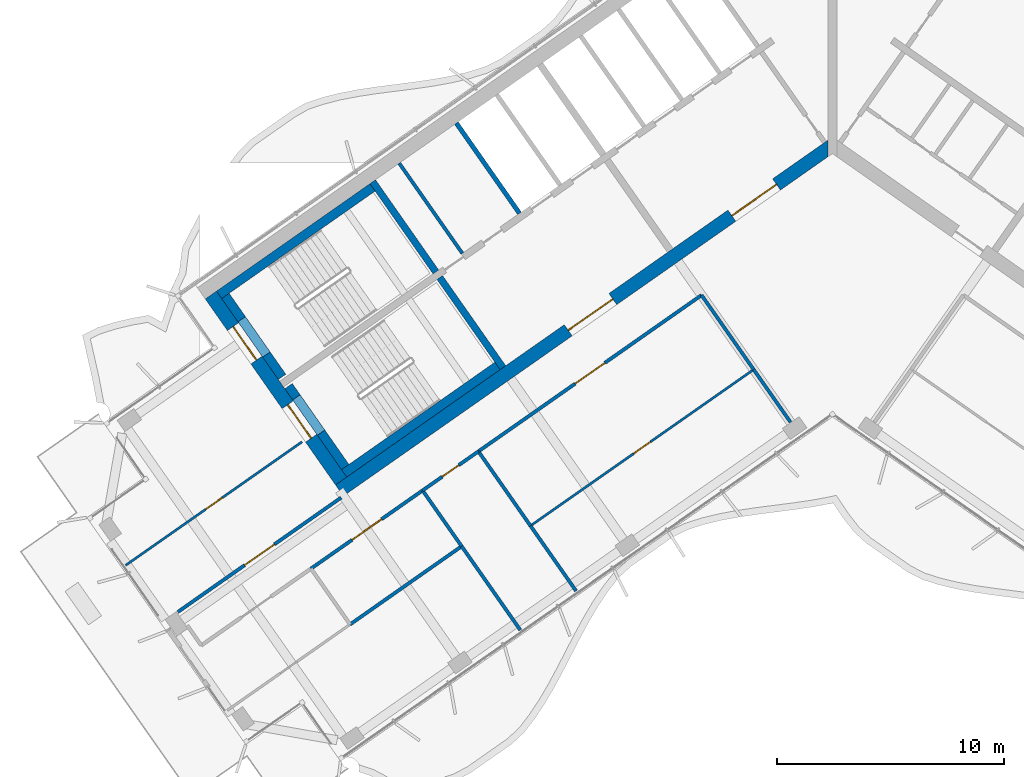
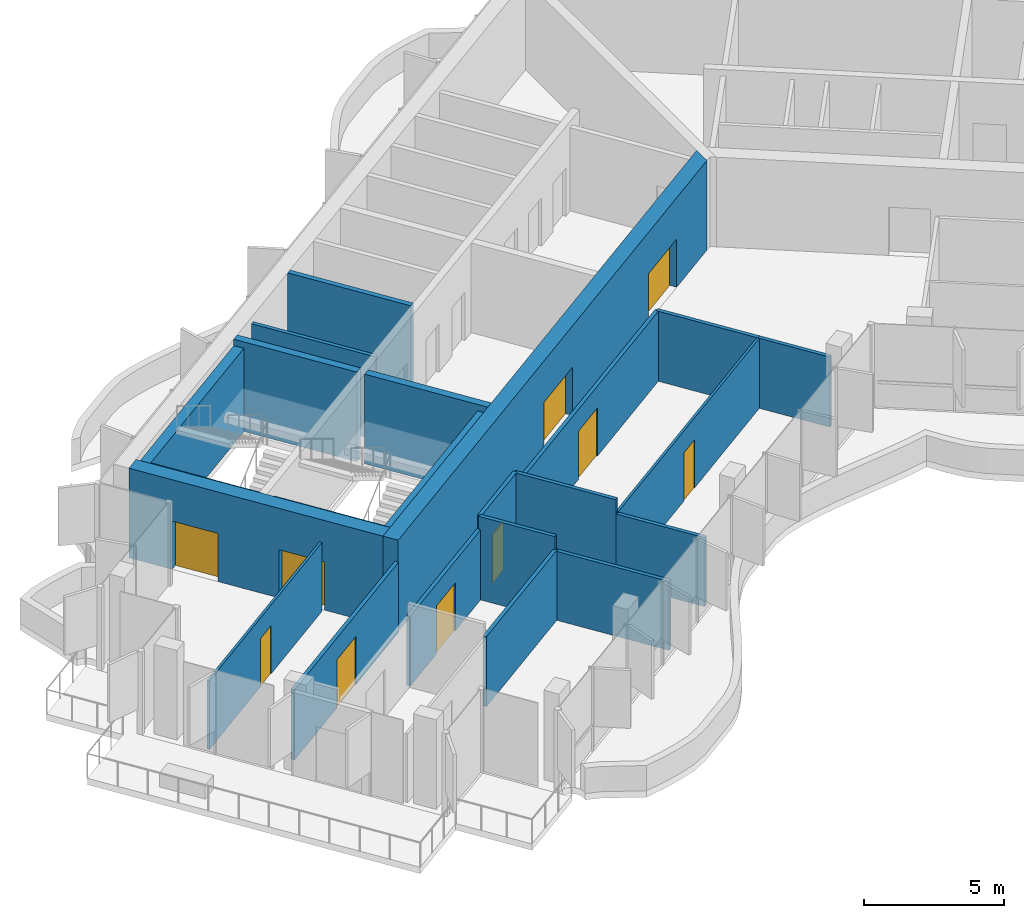
# One storey, part 11 of 21: 27 walls, 10 doors, 10 openings.
"""IFC4 building model written with IfcOpenShell, lengths in metres."""

import ifcopenshell
import ifcopenshell.guid

model = None  # the IFC model being written
_history = None  # IfcOwnerHistory: only IFC2X3 demands one
_inside = {}  # id of a spatial element -> (the spatial element, [elements in it])
_under = {}  # id of a project, library or spatial element -> (it, [spatial elements below it])
_declared = {}  # id of a project -> (the project, [libraries it declares])
_typed = {}  # id of a type object -> (the type object, [elements of that type])
_made_of = {}  # id of a material, layer set ... -> (it, [elements and type objects made of it])


def new_model(schema):
    """Start an empty IFC model of exactly this schema.

    Asked for "IFC4X3", IfcOpenShell would pick the latest addendum, in which some entities
    have other attributes; the version numbers below select the first issue.
    IFC2X3 requires an IfcOwnerHistory on every rooted entity: one is made here for all.
    """
    global model, _history
    if schema == "IFC4X3":
        model = ifcopenshell.file(schema_version=(4, 3, 0, 0))
    else:
        model = ifcopenshell.file(schema=schema)
    _inside.clear()
    _under.clear()
    _declared.clear()
    _typed.clear()
    _made_of.clear()
    _history = None
    if model.schema == "IFC2X3":
        org = make("IfcOrganization", Name="unknown")
        user = make(
            "IfcPersonAndOrganization",
            ThePerson=make("IfcPerson", FamilyName="unknown"),
            TheOrganization=org,
        )
        app = make(
            "IfcApplication",
            ApplicationDeveloper=org,
            Version="unknown",
            ApplicationFullName="unknown",
            ApplicationIdentifier="unknown",
        )
        _history = make(
            "IfcOwnerHistory",
            OwningUser=user,
            OwningApplication=app,
            ChangeAction="ADDED",
            CreationDate=0,
        )
    return model


def make(cls, **values):
    """One entity of the class cls with the attributes given. An attribute that is None is left unset."""
    return model.create_entity(
        cls, **{name: value for name, value in values.items() if value is not None}
    )


def rooted(cls, **values):
    """An entity with a GlobalId (a new one), such as an element, a storey or a relation."""
    return make(cls, GlobalId=ifcopenshell.guid.new(), OwnerHistory=_history, **values)


def si_unit(unit_type, name, prefix=None):
    """IfcSIUnit, for example si_unit("LENGTHUNIT", "METRE", prefix="MILLI")."""
    return make("IfcSIUnit", UnitType=unit_type, Prefix=prefix, Name=name)


def assignment(units):
    """IfcUnitAssignment: the units of a project."""
    return None if units is None else make("IfcUnitAssignment", Units=units)


def point(xyz):
    """IfcCartesianPoint."""
    return None if xyz is None else make("IfcCartesianPoint", Coordinates=xyz)


def direction(xyz):
    """IfcDirection."""
    return None if xyz is None else make("IfcDirection", DirectionRatios=xyz)


def frame(location, z_axis=None, x_axis=None):
    """IfcAxis2Placement3D, a coordinate frame: its origin and axes. An axis left out is left unset."""
    return make(
        "IfcAxis2Placement3D",
        Location=point(location),
        Axis=direction(z_axis),
        RefDirection=direction(x_axis),
    )


def frame_2d(location, x_axis=None):
    """IfcAxis2Placement2D, a coordinate frame in the plane: its origin and x axis."""
    return make(
        "IfcAxis2Placement2D", Location=point(location), RefDirection=direction(x_axis)
    )


def origin():
    """The frame at (0, 0, 0) with its axes left unset."""
    return frame((0.0, 0.0, 0.0))


def place(relative_to, where):
    """IfcLocalPlacement: puts the frame where relative to a parent placement (None: the world)."""
    return make(
        "IfcLocalPlacement", PlacementRelTo=relative_to, RelativePlacement=where
    )


def context(
    kind, dimensions, precision=None, world=None, true_north=None, identifier=None
):
    """IfcGeometricRepresentationContext, for example the 3D "Model" context."""
    return make(
        "IfcGeometricRepresentationContext",
        ContextIdentifier=identifier,
        ContextType=kind,
        CoordinateSpaceDimension=dimensions,
        Precision=precision,
        WorldCoordinateSystem=world,
        TrueNorth=true_north,
    )


def subcontext(parent, identifier, kind, view, scale=None):
    """IfcGeometricRepresentationSubContext, for example "Body" below "Model"."""
    return make(
        "IfcGeometricRepresentationSubContext",
        ContextIdentifier=identifier,
        ContextType=kind,
        ParentContext=parent,
        TargetScale=scale,
        TargetView=view,
    )


def project(units=None, contexts=None):
    """IfcProject with its units and contexts."""
    return rooted(
        "IfcProject",
        Name="project",
        RepresentationContexts=contexts,
        UnitsInContext=assignment(units),
    )


def spatial(cls, under=None, at=None, **own):
    """A site, building, storey or space (cls), placed at a placement, below another one or the project."""
    s = rooted(cls, ObjectPlacement=at, **own)
    if under is not None:
        _under.setdefault(under.id(), (under, []))[1].append(s)
    return s


def polyline(points):
    """IfcPolyline through the points."""
    return make("IfcPolyline", Points=[point(p) for p in points])


def profile(cls, at=None, kind="AREA", **sizes):
    """A parametric profile (cls). Its sizes go by their IFC names, for example OverallWidth=200.0."""
    return make(cls, ProfileType=kind, Position=at, **sizes)


def rectangle(**sizes):
    """IfcRectangleProfileDef."""
    return profile("IfcRectangleProfileDef", **sizes)


def outline(outer, holes=None, kind="AREA"):
    """IfcArbitraryClosedProfileDef: a profile drawn as a closed curve; with holes, ...WithVoids."""
    if holes is None:
        return make("IfcArbitraryClosedProfileDef", ProfileType=kind, OuterCurve=outer)
    return make(
        "IfcArbitraryProfileDefWithVoids",
        ProfileType=kind,
        OuterCurve=outer,
        InnerCurves=holes,
    )


def extrude(swept, where, along, depth):
    """IfcExtrudedAreaSolid: the profile swept, set in the frame where, extruded along a direction by depth."""
    return make(
        "IfcExtrudedAreaSolid",
        SweptArea=swept,
        Position=where,
        ExtrudedDirection=direction(along),
        Depth=depth,
    )


def shape(context_of_items, identifier, shape_type, items):
    """IfcShapeRepresentation: the items that make up one representation, for example the "Body"."""
    return make(
        "IfcShapeRepresentation",
        ContextOfItems=context_of_items,
        RepresentationIdentifier=identifier,
        RepresentationType=shape_type,
        Items=items,
    )


def material(Name=None, Category=None):
    """IfcMaterial."""
    return make("IfcMaterial", Name=Name, Category=Category)


def layer(
    of_material, thickness, ventilated=None, Name=None, Category=None, Priority=None
):
    """IfcMaterialLayer: one layer of a wall or slab, of a material (None: an air gap)."""
    return make(
        "IfcMaterialLayer",
        Material=of_material,
        LayerThickness=thickness,
        IsVentilated=ventilated,
        Name=Name,
        Category=Category,
        Priority=Priority,
    )


def layer_set(layers, Name=None):
    """IfcMaterialLayerSet."""
    return make("IfcMaterialLayerSet", MaterialLayers=layers, LayerSetName=Name)


def made_of(thing, what):
    """Note that an element or type object is made of a material, layer set ...; save() writes the relation."""
    if what is not None:
        _made_of.setdefault(what.id(), (what, []))[1].append(thing)
    return thing


def type_object(cls, material=None, **own):
    """A type object (cls), such as IfcWallType, which elements share."""
    return made_of(rooted(cls, **own), material)


def element(
    cls,
    number,
    at=None,
    inside=None,
    cuts=None,
    type_object=None,
    material=None,
    context=None,
    identifier="Body",
    shape_type=None,
    held_by="IfcProductDefinitionShape",
    body=None,
    shapes=None,
    **own,
):
    """One element of the class cls, such as IfcWall. Its Tag is "e" and its number.

    at: its placement. inside: the storey or other place that contains it. cuts: it is an
    opening in that element (IfcRelVoidsElement). A single representation is given by context,
    identifier, shape_type and body (its items); several are given by shapes. held_by: the class
    of the entity that holds the representations. save() writes the other relations.
    """
    e = rooted(cls, Tag="e%d" % number, ObjectPlacement=at, **own)
    if body is not None:
        shapes = [shape(context, identifier, shape_type, body)]
    if shapes is not None:
        e.Representation = make(held_by, Representations=shapes)
    if inside is not None:
        _inside.setdefault(inside.id(), (inside, []))[1].append(e)
    if cuts is not None:
        rooted(
            "IfcRelVoidsElement", RelatingBuildingElement=cuts, RelatedOpeningElement=e
        )
    if type_object is not None:
        _typed.setdefault(type_object.id(), (type_object, []))[1].append(e)
    return made_of(e, material)


def fill(opening, filler):
    """IfcRelFillsElement: the door or window that sits in an opening."""
    return rooted(
        "IfcRelFillsElement",
        RelatingOpeningElement=opening,
        RelatedBuildingElement=filler,
    )


def aggregate(whole, parts):
    """IfcRelAggregates: a whole, such as a stair, and the parts it consists of."""
    return rooted("IfcRelAggregates", RelatingObject=whole, RelatedObjects=parts)


def save(model, path):
    """Write the relations noted so far, then the file.

    IfcRelAggregates (storeys below a building ...), IfcRelContainedInSpatialStructure (elements
    in a storey), IfcRelDefinesByType, IfcRelAssociatesMaterial and IfcRelDeclares: one each for
    every whole, place, type object, material and project.
    """
    for whole, parts in _under.values():
        aggregate(whole, parts)
    for where, things in _inside.values():
        rooted(
            "IfcRelContainedInSpatialStructure",
            RelatedElements=things,
            RelatingStructure=where,
        )
    for kind, things in _typed.values():
        rooted("IfcRelDefinesByType", RelatedObjects=things, RelatingType=kind)
    for what, things in _made_of.values():
        rooted("IfcRelAssociatesMaterial", RelatedObjects=things, RelatingMaterial=what)
    for by, libraries in _declared.values():
        rooted("IfcRelDeclares", RelatingContext=by, RelatedDefinitions=libraries)
    model.write(path)


model = new_model("IFC4")

# Units and contexts
model_context = context("Model", 3, precision=1e-05, world=origin(), true_north=direction((0.0, 1.0)))
body_context = subcontext(model_context, "Body", "Model", "MODEL_VIEW")
ifc_project = project(units=[si_unit("LENGTHUNIT", "METRE"), si_unit("AREAUNIT", "SQUARE_METRE"), si_unit("VOLUMEUNIT", "CUBIC_METRE"), si_unit("PLANEANGLEUNIT", "RADIAN"), si_unit("MASSUNIT", "GRAM", prefix="KILO")], contexts=[model_context])

# Site, building, storey
site_placement = place(None, origin())
site = spatial("IfcSite", under=ifc_project, at=site_placement, CompositionType="ELEMENT")
building_placement = place(site_placement, origin())
building = spatial("IfcBuilding", under=site, at=building_placement, Name="Tel Ilan Convention Tower", CompositionType="ELEMENT")
storey_placement = place(building_placement, frame((0.0, 0.0, 225.39990234375)))
storey = spatial("IfcBuildingStorey", under=building, at=storey_placement, Name="L52", CompositionType="ELEMENT", Elevation=225.39990234375)

# Walls
ifc_material_1 = material(Name="Gypsum Plasterboard on Steel Stud", Category="steel")
ifc_layer_1 = layer(ifc_material_1, 0.14990234375)
ifc_layer_set_1 = layer_set([ifc_layer_1], Name="Core Room Partition Wall 150 mm EI 60")
wall_type_1 = type_object("IfcWallType", Name="Core Room Partition Wall 150 mm EI 60", PredefinedType="PARTITIONING", material=ifc_layer_set_1)
wall_1_placement = place(storey_placement, frame((-16.302001953125, -5.6162109375, 0.0), z_axis=(0.0, 0.0, 1.0), x_axis=(-0.573560315113, 0.819163332265, 0.0)))
element("IfcWall", 1, at=wall_1_placement, inside=storey, type_object=wall_type_1, Name="L52 core wall bank-W2-split", PredefinedType="PARTITIONING", context=body_context, shape_type="SweptSolid", body=[
    extrude(rectangle(XDim=4.849853515625, YDim=0.14990234375, at=frame_2d((2.4248046875, 0.0))), origin(), (0.0, 0.0, 1.0), 3.6201171875),
])
ifc_material_2 = material(Name="Concrete C40/50", Category="concrete")
ifc_layer_2 = layer(ifc_material_2, 0.300048828125)
ifc_layer_set_2 = layer_set([ifc_layer_2], Name="Core Shear Wall 300 mm C40/50")
wall_type_2 = type_object("IfcWallType", Name="Core Shear Wall 300 mm C40/50", PredefinedType="SHEAR", material=ifc_layer_set_2)
wall_2_placement = place(storey_placement, frame((-14.515380859375, -10.652099609375, 0.0), z_axis=(0.0, 0.0, 1.0), x_axis=(-0.573560315113, 0.819163332265, 0.0)))
element("IfcWall", 2, at=wall_2_placement, inside=storey, type_object=wall_type_2, Name="L52 core wall W-cross2-1", PredefinedType="SHEAR", context=body_context, shape_type="SweptSolid", body=[
    extrude(outline(polyline([(4.85009765625, 0.14990234375), (0.0, 0.14990234375), (0.0, -0.150146484375), (4.85009765625, -0.14990234375), (4.85009765625, 0.14990234375)])), origin(), (0.0, 0.0, 1.0), 3.900146484375),
])
wall_3_placement = place(storey_placement, frame((-17.46923828125, -6.433349609375, 0.0), z_axis=(0.0, 0.0, 1.0), x_axis=(-0.573594092424, 0.81913968109, 0.0)))
element("IfcWall", 3, at=wall_3_placement, inside=storey, type_object=wall_type_2, Name="L52 core wall W-cross2-2", PredefinedType="SHEAR", context=body_context, shape_type="SweptSolid", body=[
    extrude(outline(polyline([(4.849853515625, -0.150146484375), (4.849853515625, 0.14990234375), (0.0, 0.14990234375), (0.0, -0.14990234375), (4.849853515625, -0.150146484375)])), origin(), (0.0, 0.0, 1.0), 3.900146484375),
])

# Wall, openings, doors
ifc_material_3 = material(Name="Concrete C40/50", Category="concrete")
ifc_layer_3 = layer(ifc_material_3, 0.60009765625)
ifc_layer_set_3 = layer_set([ifc_layer_3], Name="Core Shear Wall 600 mm C40/50")
wall_type_3 = type_object("IfcWallType", Name="Core Shear Wall 600 mm C40/50", PredefinedType="SHEAR", material=ifc_layer_set_3)
wall_4_placement = place(storey_placement, frame((-0.02783203125, -0.8740234375, 0.0), z_axis=(0.0, 0.0, 1.0), x_axis=(-0.819150035022, -0.573579305871, 0.0)))
wall_4 = element("IfcWall", 4, at=wall_4_placement, inside=storey, type_object=wall_type_3, Name="L52 core wall W-front", PredefinedType="SHEAR", context=body_context, shape_type="SweptSolid", body=[
    extrude(outline(polyline([(26.475830078125, 0.2998046875), (0.420166015625, 0.300048828125), (0.000244140625, -0.300048828125), (26.475830078125, -0.300048828125), (26.475830078125, 0.2998046875)])), origin(), (0.0, 0.0, 1.0), 3.900146484375),
])
opening_1_placement = place(wall_4_placement, frame((2.975830078125, 0.0, 0.0)))
opening_1 = element("IfcOpeningElement", 5, at=opening_1_placement, cuts=wall_4, Name="Opening CD4106", PredefinedType="OPENING", context=body_context, shape_type="SweptSolid", body=[
    extrude(rectangle(XDim=2.39990234375, YDim=2.10009765625, at=frame_2d((1.199951171875, 1.050048828125))), frame((0.0, 0.31005859375, 0.0), z_axis=(0.0, -1.0, 0.0), x_axis=(1.0, 0.0, 0.0)), (0.0, 0.0, 1.0), 0.6201171875),
])
opening_2_placement = place(wall_4_placement, frame((11.77587890625, 0.0, 0.0)))
opening_2 = element("IfcOpeningElement", 6, at=opening_2_placement, cuts=wall_4, Name="Opening CD4107", PredefinedType="OPENING", context=body_context, shape_type="SweptSolid", body=[
    extrude(rectangle(XDim=2.39990234375, YDim=2.10009765625, at=frame_2d((1.199951171875, 1.050048828125))), frame((0.0, 0.31005859375, 0.0), z_axis=(0.0, -1.0, 0.0), x_axis=(1.0, 0.0, 0.0)), (0.0, 0.0, 1.0), 0.6201171875),
])
ifc_material_4 = material(Name="Glazed Aluminium Door Leaf", Category="aluminium")
door_type_1 = type_object("IfcDoorType", Name="Lobby Opening Door 2400 x 2100 FD60S", OperationType="NOTDEFINED", PredefinedType="DOOR", material=ifc_material_4)
door_1_placement = place(opening_1_placement, origin())
door_1 = element("IfcDoor", 7, at=door_1_placement, inside=storey, type_object=door_type_1, Name="Lift Lobby HR1-HR4 opening", OperationType="DOUBLE_DOOR_SINGLE_SWING", OverallHeight=2.10009765625, OverallWidth=2.39990234375, PredefinedType="DOOR", context=body_context, shape_type="SweptSolid", body=[
    extrude(rectangle(XDim=2.39990234375, YDim=2.10009765625, at=frame_2d((1.199951171875, 1.050048828125))), frame((0.0, 0.02490234375, 0.0), z_axis=(0.0, -1.0, 0.0), x_axis=(1.0, 0.0, 0.0)), (0.0, 0.0, 1.0), 0.050048828125),
])
fill(opening_1, door_1)
door_2_placement = place(opening_2_placement, origin())
door_2 = element("IfcDoor", 8, at=door_2_placement, inside=storey, type_object=door_type_1, Name="Lift Lobby HR5-HR6 opening", OperationType="DOUBLE_DOOR_SINGLE_SWING", OverallHeight=2.10009765625, OverallWidth=2.39990234375, PredefinedType="DOOR", context=body_context, shape_type="SweptSolid", body=[
    extrude(rectangle(XDim=2.39990234375, YDim=2.10009765625, at=frame_2d((1.199951171875, 1.050048828125))), frame((0.0, 0.02490234375, 0.0), z_axis=(0.0, -1.0, 0.0), x_axis=(1.0, 0.0, 0.0)), (0.0, 0.0, 1.0), 0.050048828125),
])
fill(opening_2, door_2)

wall_5_placement = place(storey_placement, frame((-21.641845703125, -15.64208984375, 0.0), z_axis=(0.0, 0.0, 1.0), x_axis=(-0.573586866468, 0.819144740944, 0.0)))
wall_5 = element("IfcWall", 9, at=wall_5_placement, inside=storey, type_object=wall_type_3, Name="L52 core wall W-end", PredefinedType="SHEAR", context=body_context, shape_type="SweptSolid", body=[
    extrude(outline(polyline([(0.0, 0.300048828125), (0.0, -0.2998046875), (10.0, -0.300048828125), (10.0, 0.300048828125), (0.0, 0.300048828125)])), origin(), (0.0, 0.0, 1.0), 3.900146484375),
])
opening_3_placement = place(wall_5_placement, frame((6.5, 0.0, 0.0)))
opening_3 = element("IfcOpeningElement", 10, at=opening_3_placement, cuts=wall_5, Name="Opening SD4101", PredefinedType="OPENING", context=body_context, shape_type="SweptSolid", body=[
    extrude(rectangle(XDim=1.800048828125, YDim=2.10009765625, at=frame_2d((0.89990234375, 1.050048828125))), frame((0.0, 0.31005859375, 0.0), z_axis=(0.0, -1.0, 0.0), x_axis=(1.0, 0.0, 0.0)), (0.0, 0.0, 1.0), 0.6201171875),
])
opening_4_placement = place(wall_5_placement, frame((2.300048828125, 0.0, 0.0)))
opening_4 = element("IfcOpeningElement", 11, at=opening_4_placement, cuts=wall_5, Name="Opening SD4102", PredefinedType="OPENING", context=body_context, shape_type="SweptSolid", body=[
    extrude(rectangle(XDim=1.800048828125, YDim=2.10009765625, at=frame_2d((0.89990234375, 1.050048828125))), frame((0.0, 0.31005859375, 0.0), z_axis=(0.0, -1.0, 0.0), x_axis=(1.0, 0.0, 0.0)), (0.0, 0.0, 1.0), 0.6201171875),
])
ifc_material_5 = material(Name="Galvanised Steel Door Leaf", Category="steel")
door_type_2 = type_object("IfcDoorType", Name="Stair Fire Door 1800 x 2100 FD60S", OperationType="NOTDEFINED", PredefinedType="DOOR", material=ifc_material_5)
door_3_placement = place(opening_3_placement, origin())
door_3 = element("IfcDoor", 12, at=door_3_placement, inside=storey, type_object=door_type_2, Name="Stair S1 door", OperationType="DOUBLE_DOOR_SINGLE_SWING", OverallHeight=2.10009765625, OverallWidth=1.800048828125, PredefinedType="DOOR", context=body_context, shape_type="SweptSolid", body=[
    extrude(rectangle(XDim=1.800048828125, YDim=2.10009765625, at=frame_2d((0.89990234375, 1.050048828125))), frame((0.0, 0.02490234375, 0.0), z_axis=(0.0, -1.0, 0.0), x_axis=(1.0, 0.0, 0.0)), (0.0, 0.0, 1.0), 0.050048828125),
])
fill(opening_3, door_3)
door_4_placement = place(opening_4_placement, origin())
door_4 = element("IfcDoor", 13, at=door_4_placement, inside=storey, type_object=door_type_2, Name="Stair S2 door", OperationType="DOUBLE_DOOR_SINGLE_SWING", OverallHeight=2.10009765625, OverallWidth=1.800048828125, PredefinedType="DOOR", context=body_context, shape_type="SweptSolid", body=[
    extrude(rectangle(XDim=1.800048828125, YDim=2.10009765625, at=frame_2d((0.89990234375, 1.050048828125))), frame((0.0, 0.02490234375, 0.0), z_axis=(0.0, -1.0, 0.0), x_axis=(1.0, 0.0, 0.0)), (0.0, 0.0, 1.0), 0.050048828125),
])
fill(opening_4, door_4)

# Wall, opening, door
ifc_material_6 = material(Name="Plasterboard on Steel Studs", Category="steel")
ifc_layer_4 = layer(ifc_material_6, 0.14990234375)
ifc_layer_set_4 = layer_set([ifc_layer_4], Name="Fire-rated Partition 150 EI 60")
wall_type_4 = type_object("IfcWallType", Name="Fire-rated Partition 150 EI 60", PredefinedType="PARTITIONING", material=ifc_layer_set_4)
wall_6_placement = place(storey_placement, frame((-28.833984375, -21.41064453125, 0.0), z_axis=(0.0, 0.0, 1.0), x_axis=(0.819144386599, 0.57358737251, 0.0)))
wall_6 = element("IfcWall", 14, at=wall_6_placement, inside=storey, type_object=wall_type_4, Name="Partition 006", PredefinedType="PARTITIONING", context=body_context, shape_type="SweptSolid", body=[
    extrude(rectangle(XDim=8.780029296875, YDim=0.14990234375, at=frame_2d((4.39013671875, 0.0))), origin(), (0.0, 0.0, 1.0), 3.050048828125),
])
opening_5_placement = place(wall_6_placement, frame((3.590087890625, 0.0, 0.0)))
opening_5 = element("IfcOpeningElement", 15, at=opening_5_placement, cuts=wall_6, Name="Opening L52-007", PredefinedType="OPENING", context=body_context, shape_type="SweptSolid", body=[
    extrude(rectangle(XDim=1.60009765625, YDim=2.10009765625, at=frame_2d((0.800048828125, 1.050048828125))), frame((0.0, 0.0849609375, 0.0), z_axis=(0.0, -1.0, 0.0), x_axis=(1.0, 0.0, 0.0)), (0.0, 0.0, 1.0), 0.169921875),
])
ifc_material_7 = material(Name="Timber Door Leaf in Steel Frame", Category="steel")
door_type_3 = type_object("IfcDoorType", Name="Tenant Suite Entrance Fire Door 1600x2100", OperationType="NOTDEFINED", PredefinedType="DOOR", material=ifc_material_7)
door_5_placement = place(opening_5_placement, origin())
door_5 = element("IfcDoor", 16, at=door_5_placement, inside=storey, type_object=door_type_3, Name="Door L52-007", OperationType="DOUBLE_DOOR_SINGLE_SWING", OverallHeight=2.10009765625, OverallWidth=1.60009765625, PredefinedType="DOOR", context=body_context, shape_type="SweptSolid", body=[
    extrude(rectangle(XDim=1.60009765625, YDim=2.10009765625, at=frame_2d((0.800048828125, 1.050048828125))), frame((0.0, 0.02490234375, 0.0), z_axis=(0.0, -1.0, 0.0), x_axis=(1.0, 0.0, 0.0)), (0.0, 0.0, 1.0), 0.050048828125),
])
fill(opening_5, door_5)

wall_7_placement = place(storey_placement, frame((-5.766357421875, -7.455810546875, 0.0), z_axis=(0.0, 0.0, 1.0), x_axis=(-0.81915546166, -0.573571555809, 0.0)))
wall_7 = element("IfcWall", 17, at=wall_7_placement, inside=storey, type_object=wall_type_4, Name="Partition 007", PredefinedType="PARTITIONING", context=body_context, shape_type="SweptSolid", body=[
    extrude(rectangle(XDim=12.001953125, YDim=0.14990234375, at=frame_2d((6.0009765625, 0.0))), origin(), (0.0, 0.0, 1.0), 3.050048828125),
])
opening_6_placement = place(wall_7_placement, frame((5.200927734375, 0.0, 0.0)))
opening_6 = element("IfcOpeningElement", 18, at=opening_6_placement, cuts=wall_7, Name="Opening L52-001", PredefinedType="OPENING", context=body_context, shape_type="SweptSolid", body=[
    extrude(rectangle(XDim=1.60009765625, YDim=2.10009765625, at=frame_2d((0.800048828125, 1.050048828125))), frame((0.0, 0.0849609375, 0.0), z_axis=(0.0, -1.0, 0.0), x_axis=(1.0, 0.0, 0.0)), (0.0, 0.0, 1.0), 0.169921875),
])
door_6_placement = place(opening_6_placement, origin())
door_6 = element("IfcDoor", 19, at=door_6_placement, inside=storey, type_object=door_type_3, Name="Door L52-001", OperationType="DOUBLE_DOOR_SINGLE_SWING", OverallHeight=2.10009765625, OverallWidth=1.60009765625, PredefinedType="DOOR", context=body_context, shape_type="SweptSolid", body=[
    extrude(rectangle(XDim=1.60009765625, YDim=2.10009765625, at=frame_2d((0.800048828125, 1.050048828125))), frame((0.0, 0.02490234375, 0.0), z_axis=(0.0, -1.0, 0.0), x_axis=(1.0, 0.0, 0.0)), (0.0, 0.0, 1.0), 0.050048828125),
])
fill(opening_6, door_6)

wall_8_placement = place(storey_placement, frame((-15.594482421875, -14.337646484375, 0.0), z_axis=(0.0, 0.0, 1.0), x_axis=(-0.819193738533, -0.573516886193, 0.0)))
wall_8 = element("IfcWall", 20, at=wall_8_placement, inside=storey, type_object=wall_type_4, Name="Partition 008", PredefinedType="PARTITIONING", context=body_context, shape_type="SweptSolid", body=[
    extrude(rectangle(XDim=3.004150390625, YDim=0.14990234375, at=frame_2d((1.501953125, 0.0))), origin(), (0.0, 0.0, 1.0), 3.6201171875),
])
opening_7_placement = place(wall_8_placement, frame((1.052001953125, 0.0, 0.0)))
opening_7 = element("IfcOpeningElement", 21, at=opening_7_placement, cuts=wall_8, Name="Opening L52-003", PredefinedType="OPENING", context=body_context, shape_type="SweptSolid", body=[
    extrude(rectangle(XDim=0.89990234375, YDim=2.10009765625, at=frame_2d((0.449951171875, 1.050048828125))), frame((0.0, 0.0849609375, 0.0), z_axis=(0.0, -1.0, 0.0), x_axis=(1.0, 0.0, 0.0)), (0.0, 0.0, 1.0), 0.169921875),
])
ifc_material_8 = material(Name="Timber Door Leaf in Steel Frame", Category="steel")
door_type_4 = type_object("IfcDoorType", Name="Room Fire Door 900x2100", OperationType="NOTDEFINED", PredefinedType="DOOR", material=ifc_material_8)
door_7_placement = place(opening_7_placement, origin())
door_7 = element("IfcDoor", 22, at=door_7_placement, inside=storey, type_object=door_type_4, Name="Door L52-003", OperationType="SINGLE_SWING_RIGHT", OverallHeight=2.10009765625, OverallWidth=0.89990234375, PredefinedType="DOOR", context=body_context, shape_type="SweptSolid", body=[
    extrude(rectangle(XDim=0.89990234375, YDim=2.10009765625, at=frame_2d((0.449951171875, 1.050048828125))), frame((0.0, 0.02490234375, 0.0), z_axis=(0.0, -1.0, 0.0), x_axis=(1.0, 0.0, 0.0)), (0.0, 0.0, 1.0), 0.050048828125),
])
fill(opening_7, door_7)

wall_9_placement = place(storey_placement, frame((-18.052001953125, -16.058349609375, 0.0), z_axis=(0.0, 0.0, 1.0), x_axis=(-0.819145946981, -0.573585144111, 0.0)))
wall_9 = element("IfcWall", 23, at=wall_9_placement, inside=storey, type_object=wall_type_4, Name="Partition 009", PredefinedType="PARTITIONING", context=body_context, shape_type="SweptSolid", body=[
    extrude(rectangle(XDim=6.004150390625, YDim=0.14990234375, at=frame_2d((3.001953125, 0.0))), origin(), (0.0, 0.0, 1.0), 3.050048828125),
])
opening_8_placement = place(wall_9_placement, frame((2.201904296875, 0.0, 0.0)))
opening_8 = element("IfcOpeningElement", 24, at=opening_8_placement, cuts=wall_9, Name="Opening L52-004", PredefinedType="OPENING", context=body_context, shape_type="SweptSolid", body=[
    extrude(rectangle(XDim=1.60009765625, YDim=2.10009765625, at=frame_2d((0.800048828125, 1.050048828125))), frame((0.0, 0.0849609375, 0.0), z_axis=(0.0, -1.0, 0.0), x_axis=(1.0, 0.0, 0.0)), (0.0, 0.0, 1.0), 0.169921875),
])
door_8_placement = place(opening_8_placement, origin())
door_8 = element("IfcDoor", 25, at=door_8_placement, inside=storey, type_object=door_type_3, Name="Door L52-004", OperationType="DOUBLE_DOOR_SINGLE_SWING", OverallHeight=2.10009765625, OverallWidth=1.60009765625, PredefinedType="DOOR", context=body_context, shape_type="SweptSolid", body=[
    extrude(rectangle(XDim=1.60009765625, YDim=2.10009765625, at=frame_2d((0.800048828125, 1.050048828125))), frame((0.0, 0.02490234375, 0.0), z_axis=(0.0, -1.0, 0.0), x_axis=(1.0, 0.0, 0.0)), (0.0, 0.0, 1.0), 0.050048828125),
])
fill(opening_8, door_8)

# Walls
wall_10_placement = place(storey_placement, frame((-1.848876953125, -13.050537109375, 0.0), z_axis=(0.0, 0.0, 1.0), x_axis=(-0.57360125079, 0.819134668472, 0.0)))
element("IfcWall", 26, at=wall_10_placement, inside=storey, type_object=wall_type_4, Name="Partition 026", PredefinedType="PARTITIONING", context=body_context, shape_type="SweptSolid", body=[
    extrude(rectangle(XDim=2.830810546875, YDim=0.14990234375, at=frame_2d((1.41552734375, 0.0))), origin(), (0.0, 0.0, 1.0), 3.050048828125),
])
wall_11_placement = place(storey_placement, frame((-3.470947265625, -10.734130859375, 0.0), z_axis=(0.0, 0.0, 1.0), x_axis=(-0.573564642091, 0.819160302593, 0.0)))
element("IfcWall", 27, at=wall_11_placement, inside=storey, type_object=wall_type_4, Name="Partition 027", PredefinedType="PARTITIONING", context=body_context, shape_type="SweptSolid", body=[
    extrude(rectangle(XDim=4.004150390625, YDim=0.14990234375, at=frame_2d((2.001953125, 0.0))), origin(), (0.0, 0.0, 1.0), 3.050048828125),
])
wall_12_placement = place(storey_placement, frame((-11.29443359375, -20.482421875, 0.0), z_axis=(0.0, 0.0, 1.0), x_axis=(-0.573555999232, 0.819166354134, 0.0)))
element("IfcWall", 28, at=wall_12_placement, inside=storey, type_object=wall_type_4, Name="Partition 030", PredefinedType="PARTITIONING", context=body_context, shape_type="SweptSolid", body=[
    extrude(rectangle(XDim=3.4990234375, YDim=0.14990234375, at=frame_2d((1.74951171875, 0.0))), origin(), (0.0, 0.0, 1.0), 3.0),
])
wall_13_placement = place(storey_placement, frame((-13.302001953125, -17.615234375, 0.0), z_axis=(0.0, 0.0, 1.0), x_axis=(-0.573556557423, 0.819165963305, 0.0)))
element("IfcWall", 29, at=wall_13_placement, inside=storey, type_object=wall_type_4, Name="Partition 031", PredefinedType="PARTITIONING", context=body_context, shape_type="SweptSolid", body=[
    extrude(rectangle(XDim=4.0, YDim=0.14990234375, at=frame_2d((2.0, 0.0))), origin(), (0.0, 0.0, 1.0), 3.6201171875),
])
wall_14_placement = place(storey_placement, frame((-16.331787109375, -18.5185546875, 0.0), z_axis=(0.0, 0.0, 1.0), x_axis=(-0.573604249862, 0.819132568355, 0.0)))
element("IfcWall", 30, at=wall_14_placement, inside=storey, type_object=wall_type_4, Name="Partition 032", PredefinedType="PARTITIONING", context=body_context, shape_type="SweptSolid", body=[
    extrude(rectangle(XDim=3.001953125, YDim=0.14990234375, at=frame_2d((1.5009765625, 0.0))), origin(), (0.0, 0.0, 1.0), 3.6201171875),
])
wall_15_placement = place(storey_placement, frame((-13.751708984375, -22.203125, 0.0), z_axis=(0.0, 0.0, 1.0), x_axis=(-0.573593387921, 0.81914017441, 0.0)))
element("IfcWall", 31, at=wall_15_placement, inside=storey, type_object=wall_type_4, Name="Partition 033", PredefinedType="PARTITIONING", context=body_context, shape_type="SweptSolid", body=[
    extrude(rectangle(XDim=4.5009765625, YDim=0.14990234375, at=frame_2d((2.25048828125, 0.0))), origin(), (0.0, 0.0, 1.0), 3.0),
])
wall_16_placement = place(storey_placement, frame((-16.3330078125, -18.516845703125, 0.0), z_axis=(0.0, 0.0, 1.0), x_axis=(-0.819130592339, -0.573607071691, 0.0)))
element("IfcWall", 32, at=wall_16_placement, inside=storey, type_object=wall_type_4, Name="Partition 034", PredefinedType="PARTITIONING", context=body_context, shape_type="SweptSolid", body=[
    extrude(rectangle(XDim=6.0, YDim=0.14990234375, at=frame_2d((3.0, 0.0))), origin(), (0.0, 0.0, 1.0), 3.050048828125),
])
ifc_material_9 = material(Name="Concrete C30/37", Category="concrete")
ifc_layer_5 = layer(ifc_material_9, 0.199951171875)
ifc_layer_set_5 = layer_set([ifc_layer_5], Name="Lift Shaft Wall 200 mm C30/37")
wall_type_5 = type_object("IfcWallType", Name="Lift Shaft Wall 200 mm C30/37", PredefinedType="SOLIDWALL", material=ifc_layer_set_5)
wall_17_placement = place(storey_placement, frame((-13.782958984375, -3.852294921875, 0.0), z_axis=(0.0, 0.0, 1.0), x_axis=(-0.573594092424, 0.81913968109, 0.0)))
element("IfcWall", 33, at=wall_17_placement, inside=storey, type_object=wall_type_5, Name="L52 core wall bank-W2-p1", PredefinedType="SOLIDWALL", context=body_context, shape_type="SweptSolid", body=[
    extrude(rectangle(XDim=4.85009765625, YDim=0.199951171875, at=frame_2d((2.425048828125, 0.0))), origin(), (0.0, 0.0, 1.0), 3.900146484375),
])

# Wall, opening, door
ifc_material_10 = material(Name="Plasterboard on Steel Studs", Category="steel")
ifc_layer_6 = layer(ifc_material_10, 0.10009765625)
ifc_layer_set_6 = layer_set([ifc_layer_6], Name="Plasterboard Partition 100")
wall_type_6 = type_object("IfcWallType", Name="Plasterboard Partition 100", PredefinedType="PARTITIONING", material=ifc_layer_set_6)
wall_18_placement = place(storey_placement, frame((-31.128662109375, -19.353759765625, 0.0), z_axis=(0.0, 0.0, 1.0), x_axis=(0.819154480923, 0.573572956461, 0.0)))
wall_18 = element("IfcWall", 34, at=wall_18_placement, inside=storey, type_object=wall_type_6, Name="Partition 028", PredefinedType="PARTITIONING", context=body_context, shape_type="SweptSolid", body=[
    extrude(rectangle(XDim=9.47998046875, YDim=0.10009765625, at=frame_2d((4.739990234375, 0.0))), origin(), (0.0, 0.0, 1.0), 3.0),
])
opening_9_placement = place(wall_18_placement, frame((4.2900390625, 0.0, 0.0)))
opening_9 = element("IfcOpeningElement", 35, at=opening_9_placement, cuts=wall_18, Name="Opening L52-008", PredefinedType="OPENING", context=body_context, shape_type="SweptSolid", body=[
    extrude(rectangle(XDim=0.89990234375, YDim=2.10009765625, at=frame_2d((0.449951171875, 1.050048828125))), frame((0.0, 0.06005859375, 0.0), z_axis=(0.0, -1.0, 0.0), x_axis=(1.0, 0.0, 0.0)), (0.0, 0.0, 1.0), 0.1201171875),
])
ifc_material_11 = material(Name="Timber Door Leaf in Steel Frame", Category="steel")
door_type_5 = type_object("IfcDoorType", Name="Room Timber Door 900x2100", OperationType="NOTDEFINED", PredefinedType="DOOR", material=ifc_material_11)
door_9_placement = place(opening_9_placement, origin())
door_9 = element("IfcDoor", 36, at=door_9_placement, inside=storey, type_object=door_type_5, Name="Door L52-008", OperationType="SINGLE_SWING_LEFT", OverallHeight=2.10009765625, OverallWidth=0.89990234375, PredefinedType="DOOR", context=body_context, shape_type="SweptSolid", body=[
    extrude(rectangle(XDim=0.89990234375, YDim=2.10009765625, at=frame_2d((0.449951171875, 1.050048828125))), frame((0.0, 0.02490234375, 0.0), z_axis=(0.0, -1.0, 0.0), x_axis=(1.0, 0.0, 0.0)), (0.0, 0.0, 1.0), 0.050048828125),
])
fill(opening_9, door_9)

wall_19_placement = place(storey_placement, frame((-3.471435546875, -10.733154296875, 0.0), z_axis=(0.0, 0.0, 1.0), x_axis=(-0.819146845232, -0.573583861302, 0.0)))
wall_19 = element("IfcWall", 37, at=wall_19_placement, inside=storey, type_object=wall_type_6, Name="Partition 029", PredefinedType="PARTITIONING", context=body_context, shape_type="SweptSolid", body=[
    extrude(rectangle(XDim=12.0, YDim=0.10009765625, at=frame_2d((6.0, 0.0))), origin(), (0.0, 0.0, 1.0), 3.050048828125),
])
opening_10_placement = place(wall_19_placement, frame((5.550048828125, 0.0, 0.0)))
opening_10 = element("IfcOpeningElement", 38, at=opening_10_placement, cuts=wall_19, Name="Opening L52-002", PredefinedType="OPENING", context=body_context, shape_type="SweptSolid", body=[
    extrude(rectangle(XDim=0.89990234375, YDim=2.10009765625, at=frame_2d((0.449951171875, 1.050048828125))), frame((0.0, 0.06005859375, 0.0), z_axis=(0.0, -1.0, 0.0), x_axis=(1.0, 0.0, 0.0)), (0.0, 0.0, 1.0), 0.1201171875),
])
door_10_placement = place(opening_10_placement, origin())
door_10 = element("IfcDoor", 39, at=door_10_placement, inside=storey, type_object=door_type_5, Name="Door L52-002", OperationType="SINGLE_SWING_RIGHT", OverallHeight=2.10009765625, OverallWidth=0.89990234375, PredefinedType="DOOR", context=body_context, shape_type="SweptSolid", body=[
    extrude(rectangle(XDim=0.89990234375, YDim=2.10009765625, at=frame_2d((0.449951171875, 1.050048828125))), frame((0.0, 0.02490234375, 0.0), z_axis=(0.0, -1.0, 0.0), x_axis=(1.0, 0.0, 0.0)), (0.0, 0.0, 1.0), 0.050048828125),
])
fill(opening_10, door_10)

# Walls
ifc_material_12 = material(Name="Concrete C30/37", Category="concrete")
ifc_layer_7 = layer(ifc_material_12, 0.39990234375)
ifc_layer_set_7 = layer_set([ifc_layer_7], Name="Stair and Shaft Lining Wall 400 mm C30/37")
wall_type_7 = type_object("IfcWallType", Name="Stair and Shaft Lining Wall 400 mm C30/37", PredefinedType="SOLIDWALL", material=ifc_layer_set_7)
wall_20_placement = place(storey_placement, frame((-20.25927734375, -2.71044921875, 0.0), z_axis=(0.0, 0.0, 1.0), x_axis=(-0.81914849389, -0.573581506813, 0.0)))
element("IfcWall", 40, at=wall_20_placement, inside=storey, type_object=wall_type_7, Name="L52 core wall lining-S1-t1", PredefinedType="SOLIDWALL", context=body_context, shape_type="SweptSolid", body=[
    extrude(rectangle(XDim=8.249755859375, YDim=0.39990234375, at=frame_2d((4.125, 0.0))), origin(), (0.0, 0.0, 1.0), 3.6201171875),
])
wall_21_placement = place(storey_placement, frame((-24.24365234375, -11.0546875, 0.0), z_axis=(0.0, 0.0, 1.0), x_axis=(-0.573571582932, 0.819155442668, 0.0)))
element("IfcWall", 41, at=wall_21_placement, inside=storey, type_object=wall_type_7, Name="L52 core wall lining-S1-u1-0", PredefinedType="SOLIDWALL", context=body_context, shape_type="SweptSolid", body=[
    extrude(rectangle(XDim=1.199951171875, YDim=0.39990234375, at=frame_2d((0.60009765625, 0.0))), origin(), (0.0, 0.0, 1.0), 3.6201171875),
])
wall_22_placement = place(storey_placement, frame((-26.021728515625, -8.515380859375, 0.0), z_axis=(0.0, 0.0, 1.0), x_axis=(-0.573619628835, 0.819121798889, 0.0)))
element("IfcWall", 42, at=wall_22_placement, inside=storey, type_object=wall_type_7, Name="L52 core wall lining-S1-u1-1", PredefinedType="SOLIDWALL", context=body_context, shape_type="SweptSolid", body=[
    extrude(rectangle(XDim=1.25, YDim=0.39990234375, at=frame_2d((0.625, 0.0))), origin(), (0.0, 0.0, 1.0), 3.6201171875),
])
wall_23_placement = place(storey_placement, frame((-24.931884765625, -10.07177734375, 2.150146484375), z_axis=(0.0, 0.0, 1.0), x_axis=(-0.573591692345, 0.819141361715, 0.0)))
element("IfcWall", 43, at=wall_23_placement, inside=storey, type_object=wall_type_7, Name="L52 core wall lining-S1-u1-lintel", PredefinedType="SOLIDWALL", context=body_context, shape_type="SweptSolid", body=[
    extrude(rectangle(XDim=1.900146484375, YDim=0.39990234375, at=frame_2d((0.9501953125, 0.0))), origin(), (0.0, 0.0, 1.0), 1.469970703125),
])
wall_24_placement = place(storey_placement, frame((-14.7529296875, -10.57421875, 0.0), z_axis=(0.0, 0.0, 1.0), x_axis=(-0.819158229677, -0.573567602601, 0.0)))
element("IfcWall", 44, at=wall_24_placement, inside=storey, type_object=wall_type_7, Name="L52 core wall lining-S2-t0", PredefinedType="SOLIDWALL", context=body_context, shape_type="SweptSolid", body=[
    extrude(rectangle(XDim=8.25, YDim=0.39990234375, at=frame_2d((4.125, 0.0))), origin(), (0.0, 0.0, 1.0), 3.6201171875),
])
wall_25_placement = place(storey_placement, frame((-21.4619140625, -15.027587890625, 0.0), z_axis=(0.0, 0.0, 1.0), x_axis=(-0.573559770908, 0.819163713305, 0.0)))
element("IfcWall", 45, at=wall_25_placement, inside=storey, type_object=wall_type_7, Name="L52 core wall lining-S2-u1-0", PredefinedType="SOLIDWALL", context=body_context, shape_type="SweptSolid", body=[
    extrude(rectangle(XDim=1.849853515625, YDim=0.39990234375, at=frame_2d((0.9248046875, 0.0))), origin(), (0.0, 0.0, 1.0), 3.6201171875),
])
wall_26_placement = place(storey_placement, frame((-23.61279296875, -11.955810546875, 0.0), z_axis=(0.0, 0.0, 1.0), x_axis=(-0.573435029941, 0.819251039936, 0.0)))
element("IfcWall", 46, at=wall_26_placement, inside=storey, type_object=wall_type_7, Name="L52 core wall lining-S2-u1-1", PredefinedType="SOLIDWALL", context=body_context, shape_type="SweptSolid", body=[
    extrude(rectangle(XDim=0.599853515625, YDim=0.39990234375, at=frame_2d((0.2998046875, 0.0))), origin(), (0.0, 0.0, 1.0), 3.6201171875),
])
wall_27_placement = place(storey_placement, frame((-22.52294921875, -13.51220703125, 2.150146484375), z_axis=(0.0, 0.0, 1.0), x_axis=(-0.573591692345, 0.819141361715, 0.0)))
element("IfcWall", 47, at=wall_27_placement, inside=storey, type_object=wall_type_7, Name="L52 core wall lining-S2-u1-lintel", PredefinedType="SOLIDWALL", context=body_context, shape_type="SweptSolid", body=[
    extrude(rectangle(XDim=1.900146484375, YDim=0.39990234375, at=frame_2d((0.9501953125, 0.0))), origin(), (0.0, 0.0, 1.0), 1.469970703125),
])

save(model, "model.ifc")
